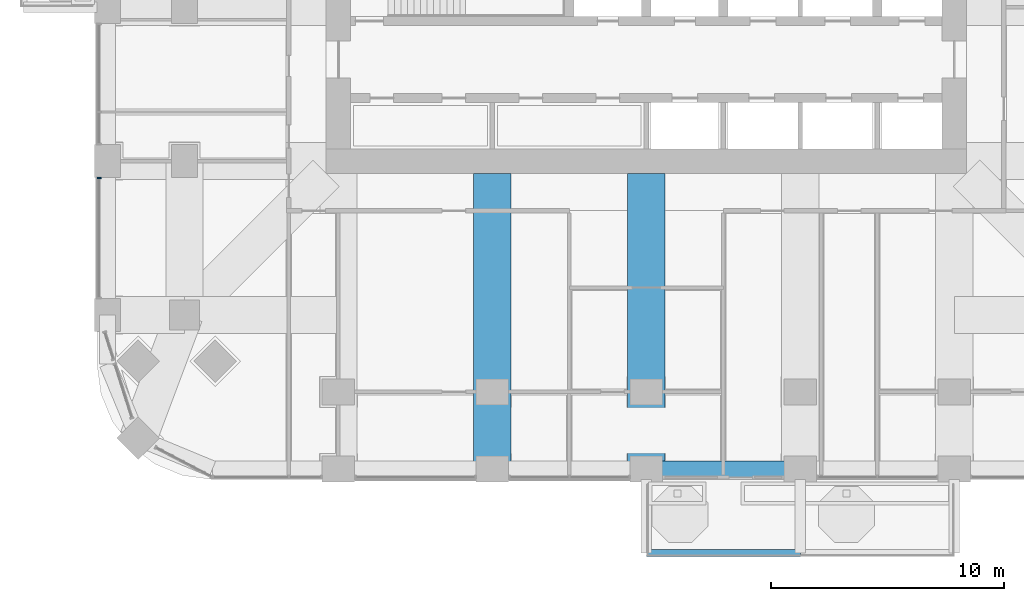
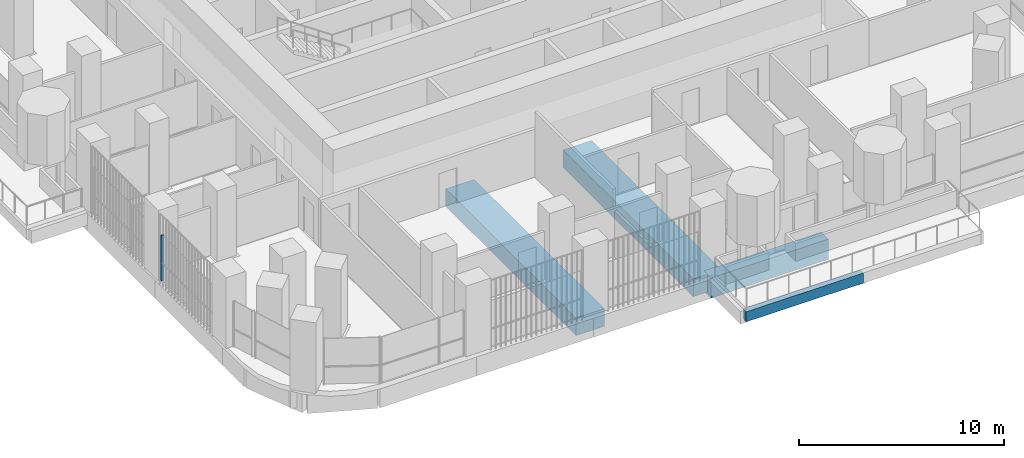
# One storey, part 3 of 23: 4 beams, 1 member, 1 element without a shape of its own.
"""IFC4 building model written with IfcOpenShell, lengths in metres."""

from ifc_helpers import new_model, si_unit, direction, frame, origin, origin_2d, place, context, subcontext, project, spatial, rectangle, extrude, material, material_profile, profile_set, type_object, element, aggregate, save


model = new_model("IFC4")

# Units and contexts
model_context = context("Model", 3, precision=1e-05, world=origin(), true_north=direction((0.0, 1.0)))
body_context = subcontext(model_context, "Body", "Model", "MODEL_VIEW")
ifc_project = project(units=[si_unit("LENGTHUNIT", "METRE"), si_unit("AREAUNIT", "SQUARE_METRE"), si_unit("VOLUMEUNIT", "CUBIC_METRE"), si_unit("PLANEANGLEUNIT", "RADIAN"), si_unit("MASSUNIT", "GRAM", prefix="KILO")], contexts=[model_context])

# Site, building, storey
site_placement = place(None, origin())
site = spatial("IfcSite", under=ifc_project, at=site_placement, CompositionType="ELEMENT")
building_placement = place(site_placement, origin())
building = spatial("IfcBuilding", under=site, at=building_placement, Name="Cobogo Forest Laboratory Tower", CompositionType="ELEMENT")
storey_placement = place(building_placement, frame((0.0, 0.0, 128.39990234375)))
storey = spatial("IfcBuildingStorey", under=building, at=storey_placement, Name="L29", CompositionType="ELEMENT", Elevation=128.39990234375)

# Beams
ifc_material_1 = material(Name="Concrete HA-40 (C40/50)", Category="concrete")
ifc_material_profile_1 = material_profile(ifc_material_1, rectangle(XDim=0.300048828125, YDim=0.60009765625, at=origin_2d()), Name="RC 300x600")
ifc_profile_set_1 = profile_set([ifc_material_profile_1], Name="Concrete HA-40 (C40/50)")
beam_type_1 = type_object("IfcBeamType", Name="Balcony edge beam 300x600", PredefinedType="BEAM", material=ifc_profile_set_1)
beam_1_placement = place(storey_placement, frame((26.39990234375, -3.60009765625, -0.5498046875), z_axis=(1.0, 0.0, 0.0), x_axis=(0.0, 1.0, 0.0)))
element("IfcBeam", 1, at=beam_1_placement, inside=storey, type_object=beam_type_1, Name="BB1 BAL-S1-T1 L29", PredefinedType="BEAM", context=body_context, shape_type="SweptSolid", body=[
    extrude(rectangle(XDim=0.300048828125, YDim=0.60009765625, at=origin_2d()), origin(), (0.0, 0.0, 1.0), 6.60009765625),
])
ifc_material_2 = material(Name="Concrete HA-50 (C50/60)", Category="concrete")
ifc_material_profile_2 = material_profile(ifc_material_2, rectangle(XDim=1.60009765625, YDim=1.050048828125, at=origin_2d()), Name="RC 1600x1050")
ifc_profile_set_2 = profile_set([ifc_material_profile_2], Name="Concrete HA-50 (C50/60)")
beam_type_2 = type_object("IfcBeamType", Name="Laboratory floor wide beam 1600x1050", PredefinedType="BEAM", material=ifc_profile_set_2)
for number, where, z_axis, x_axis, name in (
    (2, (19.800048828125, 12.675048828125, -0.824951171875), (0.0, -1.0, 0.0), (1.0, 0.0, 0.0), "RB8 R-4-S L29"),
    (3, (26.39990234375, 12.675048828125, -0.824951171875), (0.0, -1.0, 0.0), (1.0, 0.0, 0.0), "RB8 R-5-S L29"),
):
    element("IfcBeam", number, at=place(storey_placement, frame(where, z_axis=z_axis, x_axis=x_axis)), inside=storey, type_object=beam_type_2, Name=name, PredefinedType="BEAM", context=body_context, shape_type="SweptSolid", body=[
        extrude(rectangle(XDim=1.60009765625, YDim=1.050048828125, at=origin_2d()), origin(), (0.0, 0.0, 1.0), 12.675048828125),
    ])

# Curtain wall, member
ifc_material_3 = material(Name="Aluminium curtain wall", Category="aluminium")
curtain_wall_type = type_object("IfcCurtainWallType", Name="CW-1 unitised curtain wall, clear glazing, laboratory floors zones A and B", PredefinedType="USERDEFINED", material=ifc_material_3)
curtain_wall_placement = place(storey_placement, origin())
curtain_wall = element("IfcCurtainWall", 4, at=curtain_wall_placement, inside=storey, type_object=curtain_wall_type, Name="Curtain wall 31 L29", ObjectType="UNITISED CURTAIN WALL", PredefinedType="USERDEFINED")
ifc_material_4 = material(Name="Aluminium mullion", Category="aluminium")
ifc_material_profile_3 = material_profile(ifc_material_4, rectangle(XDim=0.06005859375, YDim=0.159912109375, at=origin_2d()), Name="AL 60x160")
ifc_profile_set_3 = profile_set([ifc_material_profile_3], Name="Aluminium mullion")
member_type = type_object("IfcMemberType", Name="MU-1 aluminium mullion 60x160", PredefinedType="MULLION", material=ifc_profile_set_3)
member_placement = place(storey_placement, frame((2.949951171875, 12.469970703125, 0.0), z_axis=(0.0, 0.0, 1.0), x_axis=(0.0, -1.0, 0.0)))
member = element("IfcMember", 5, at=member_placement, type_object=member_type, Name="CW-1 mullion 1", PredefinedType="MULLION", context=body_context, shape_type="SweptSolid", body=[
    extrude(rectangle(XDim=0.06005859375, YDim=0.159912109375, at=origin_2d()), origin(), (0.0, 0.0, 1.0), 2.7001953125),
])
aggregate(curtain_wall, [member])

# Beam
ifc_material_profile_4 = material_profile(ifc_material_1, rectangle(XDim=0.699951171875, YDim=1.199951171875, at=origin_2d()), Name="RC 700x1200")
ifc_profile_set_4 = profile_set([ifc_material_profile_4], Name="Concrete HA-40 (C40/50)")
beam_type_3 = type_object("IfcBeamType", Name="Perimeter edge beam 700x1200", PredefinedType="BEAM", material=ifc_profile_set_4)
beam_2_placement = place(storey_placement, frame((26.39990234375, 0.0, -0.89990234375), z_axis=(1.0, 0.0, 0.0), x_axis=(0.0, 1.0, 0.0)))
element("IfcBeam", 6, at=beam_2_placement, inside=storey, type_object=beam_type_3, Name="EB1 E-S3 L29", PredefinedType="BEAM", context=body_context, shape_type="SweptSolid", body=[
    extrude(rectangle(XDim=0.699951171875, YDim=1.199951171875, at=origin_2d()), origin(), (0.0, 0.0, 1.0), 6.60009765625),
])

save(model, "model.ifc")
